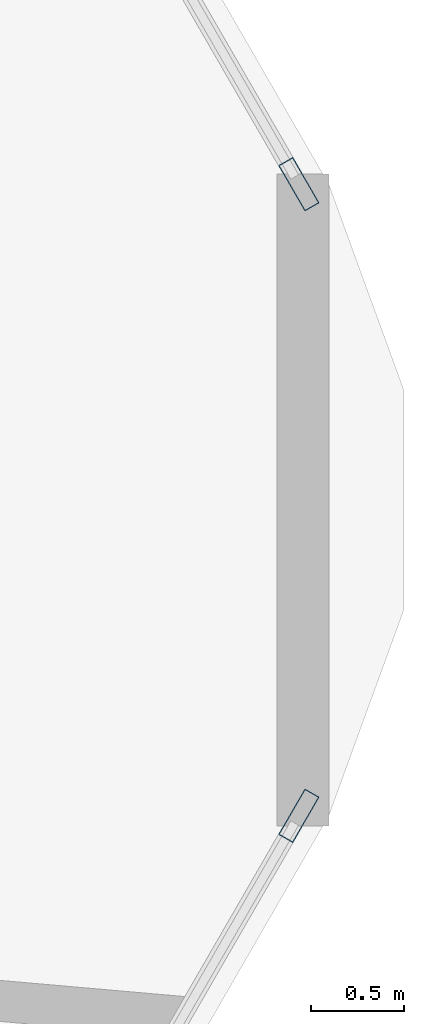
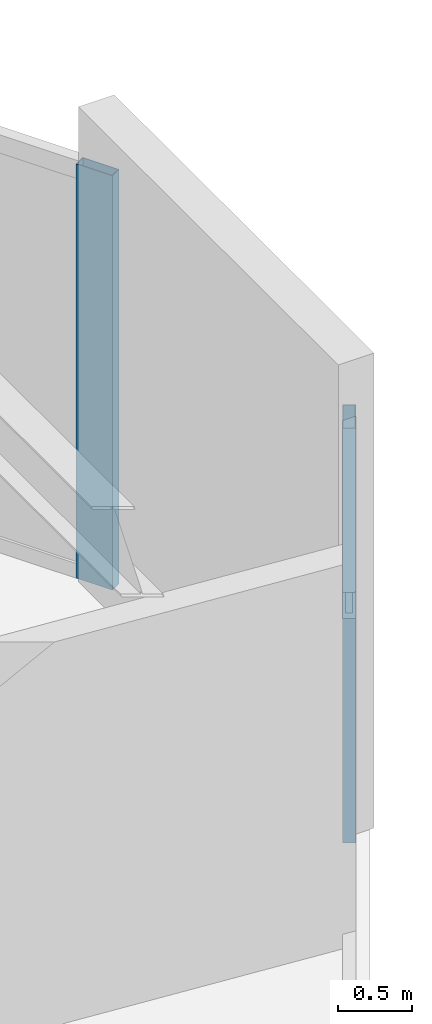
# One storey, part 23 of 28: 2 members, 2 elements without a shape of their own.
"""IFC4 building model written with IfcOpenShell, lengths in metres."""

from ifc_helpers import new_model, si_unit, direction, frame, origin, origin_2d, place, context, subcontext, project, spatial, hollow_rectangle, extrude, material, material_profile, profile_set, type_object, element, aggregate, save


model = new_model("IFC4")

# Units and contexts
model_context = context("Model", 3, precision=1e-05, world=origin(), true_north=direction((0.0, 1.0)))
body_context = subcontext(model_context, "Body", "Model", "MODEL_VIEW")
ifc_project = project(units=[si_unit("LENGTHUNIT", "METRE"), si_unit("AREAUNIT", "SQUARE_METRE"), si_unit("VOLUMEUNIT", "CUBIC_METRE"), si_unit("PLANEANGLEUNIT", "RADIAN"), si_unit("MASSUNIT", "GRAM", prefix="KILO")], contexts=[model_context])

# Site, building, storey
site_placement = place(None, origin())
site = spatial("IfcSite", under=ifc_project, at=site_placement, CompositionType="ELEMENT")
building_placement = place(site_placement, origin())
building = spatial("IfcBuilding", under=site, at=building_placement, Name="Zuhravey Tower", CompositionType="ELEMENT")
storey_placement = place(building_placement, frame((0.0, 0.0, 79.199951171875)))
storey = spatial("IfcBuildingStorey", under=building, at=storey_placement, Name="L19", CompositionType="ELEMENT", Elevation=79.199951171875)

# Curtain wall, member
ifc_material_1 = material(Name="Thermally broken anodised aluminium", Category="aluminium")
curtain_wall_type = type_object("IfcCurtainWallType", Name="School Low-E Unitised Curtain Wall CW1", PredefinedType="NOTDEFINED", material=ifc_material_1)
curtain_wall_1_placement = place(storey_placement, origin())
curtain_wall_1 = element("IfcCurtainWall", 1, at=curtain_wall_1_placement, inside=storey, type_object=curtain_wall_type, Name="L19 CW1 CW-L19-F6-1", PredefinedType="NOTDEFINED")
ifc_material_2 = material(Name="Anodised aluminium", Category="aluminium")
ifc_material_profile = material_profile(ifc_material_2, hollow_rectangle(XDim=0.090087890625, YDim=0.284912109375, WallThickness=0.0048828125, at=origin_2d()), Name="ALU-RHS-90x285x5")
ifc_profile_set = profile_set([ifc_material_profile], Name="Anodised aluminium")
member_type = type_object("IfcMemberType", Name="Curtain-Wall Mullion 90x180", PredefinedType="MULLION", material=ifc_profile_set)
member_1_placement = place(storey_placement, frame((68.4560546875, 30.298583984375, 0.0), z_axis=(0.0, 0.0, 1.0), x_axis=(0.86602552265, -0.499999794119, 0.0)))
member_1 = element("IfcMember", 2, at=member_1_placement, type_object=member_type, Name="CW1 mullion 1", PredefinedType="MULLION", context=body_context, shape_type="SweptSolid", body=[
    extrude(hollow_rectangle(XDim=0.090087890625, YDim=0.284912109375, WallThickness=0.0048828125, at=origin_2d()), origin(), (0.0, 0.0, 1.0), 3.420166015625),
])
aggregate(curtain_wall_1, [member_1])

curtain_wall_2_placement = place(storey_placement, origin())
curtain_wall_2 = element("IfcCurtainWall", 3, at=curtain_wall_2_placement, inside=storey, type_object=curtain_wall_type, Name="L19 CW1 CW-L19-F1-1", PredefinedType="NOTDEFINED")
member_2_placement = place(storey_placement, frame((68.4560546875, 33.701416015625, 0.0), z_axis=(0.0, 0.0, 1.0), x_axis=(0.86602552265, 0.499999794119, 0.0)))
member_2 = element("IfcMember", 4, at=member_2_placement, type_object=member_type, Name="CW1 mullion 4", PredefinedType="MULLION", context=body_context, shape_type="SweptSolid", body=[
    extrude(hollow_rectangle(XDim=0.090087890625, YDim=0.284912109375, WallThickness=0.0048828125, at=origin_2d()), origin(), (0.0, 0.0, 1.0), 3.420166015625),
])
aggregate(curtain_wall_2, [member_2])

save(model, "model.ifc")
